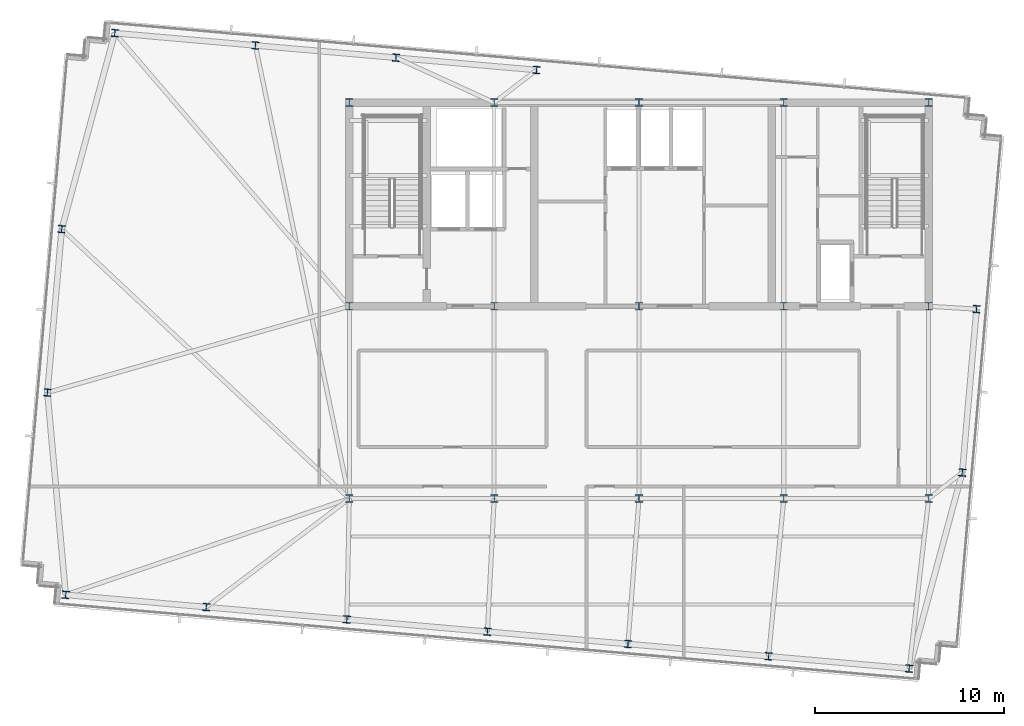
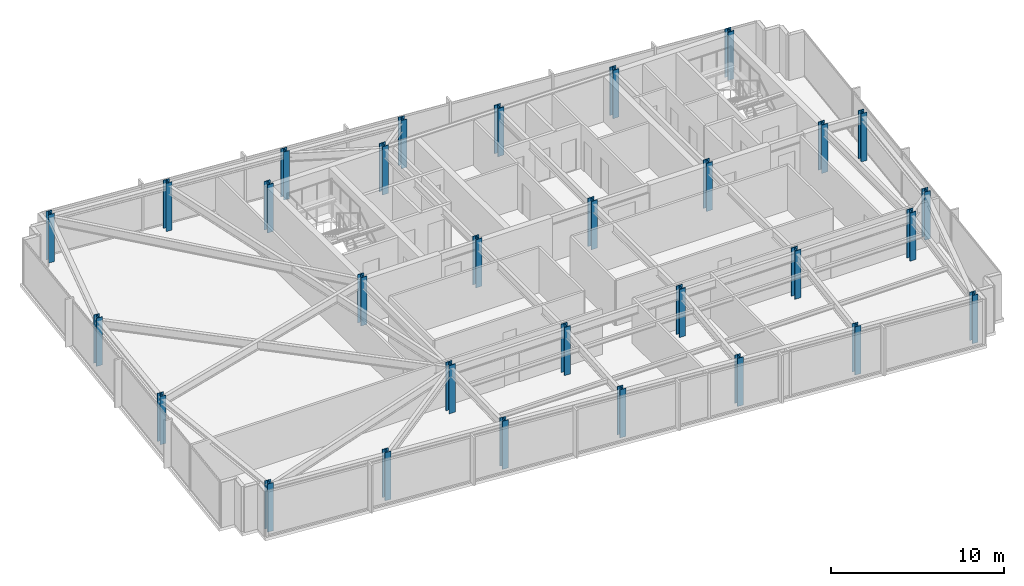
# One storey, part 1 of 32: 30 columns.
"""IFC4 building model written with IfcOpenShell, lengths in metres."""

import ifcopenshell
import ifcopenshell.guid

model = None  # the IFC model being written
_history = None  # IfcOwnerHistory: only IFC2X3 demands one
_inside = {}  # id of a spatial element -> (the spatial element, [elements in it])
_under = {}  # id of a project, library or spatial element -> (it, [spatial elements below it])
_declared = {}  # id of a project -> (the project, [libraries it declares])
_typed = {}  # id of a type object -> (the type object, [elements of that type])
_made_of = {}  # id of a material, layer set ... -> (it, [elements and type objects made of it])


def new_model(schema):
    """Start an empty IFC model of exactly this schema.

    Asked for "IFC4X3", IfcOpenShell would pick the latest addendum, in which some entities
    have other attributes; the version numbers below select the first issue.
    IFC2X3 requires an IfcOwnerHistory on every rooted entity: one is made here for all.
    """
    global model, _history
    if schema == "IFC4X3":
        model = ifcopenshell.file(schema_version=(4, 3, 0, 0))
    else:
        model = ifcopenshell.file(schema=schema)
    _inside.clear()
    _under.clear()
    _declared.clear()
    _typed.clear()
    _made_of.clear()
    _history = None
    if model.schema == "IFC2X3":
        org = make("IfcOrganization", Name="unknown")
        user = make(
            "IfcPersonAndOrganization",
            ThePerson=make("IfcPerson", FamilyName="unknown"),
            TheOrganization=org,
        )
        app = make(
            "IfcApplication",
            ApplicationDeveloper=org,
            Version="unknown",
            ApplicationFullName="unknown",
            ApplicationIdentifier="unknown",
        )
        _history = make(
            "IfcOwnerHistory",
            OwningUser=user,
            OwningApplication=app,
            ChangeAction="ADDED",
            CreationDate=0,
        )
    return model


def make(cls, **values):
    """One entity of the class cls with the attributes given. An attribute that is None is left unset."""
    return model.create_entity(
        cls, **{name: value for name, value in values.items() if value is not None}
    )


def rooted(cls, **values):
    """An entity with a GlobalId (a new one), such as an element, a storey or a relation."""
    return make(cls, GlobalId=ifcopenshell.guid.new(), OwnerHistory=_history, **values)


def si_unit(unit_type, name, prefix=None):
    """IfcSIUnit, for example si_unit("LENGTHUNIT", "METRE", prefix="MILLI")."""
    return make("IfcSIUnit", UnitType=unit_type, Prefix=prefix, Name=name)


def assignment(units):
    """IfcUnitAssignment: the units of a project."""
    return None if units is None else make("IfcUnitAssignment", Units=units)


def point(xyz):
    """IfcCartesianPoint."""
    return None if xyz is None else make("IfcCartesianPoint", Coordinates=xyz)


def direction(xyz):
    """IfcDirection."""
    return None if xyz is None else make("IfcDirection", DirectionRatios=xyz)


def frame(location, z_axis=None, x_axis=None):
    """IfcAxis2Placement3D, a coordinate frame: its origin and axes. An axis left out is left unset."""
    return make(
        "IfcAxis2Placement3D",
        Location=point(location),
        Axis=direction(z_axis),
        RefDirection=direction(x_axis),
    )


def frame_2d(location, x_axis=None):
    """IfcAxis2Placement2D, a coordinate frame in the plane: its origin and x axis."""
    return make(
        "IfcAxis2Placement2D", Location=point(location), RefDirection=direction(x_axis)
    )


def origin():
    """The frame at (0, 0, 0) with its axes left unset."""
    return frame((0.0, 0.0, 0.0))


def origin_2d():
    """The frame at (0, 0) in the plane with its x axis left unset."""
    return frame_2d((0.0, 0.0))


def place(relative_to, where):
    """IfcLocalPlacement: puts the frame where relative to a parent placement (None: the world)."""
    return make(
        "IfcLocalPlacement", PlacementRelTo=relative_to, RelativePlacement=where
    )


def context(
    kind, dimensions, precision=None, world=None, true_north=None, identifier=None
):
    """IfcGeometricRepresentationContext, for example the 3D "Model" context."""
    return make(
        "IfcGeometricRepresentationContext",
        ContextIdentifier=identifier,
        ContextType=kind,
        CoordinateSpaceDimension=dimensions,
        Precision=precision,
        WorldCoordinateSystem=world,
        TrueNorth=true_north,
    )


def subcontext(parent, identifier, kind, view, scale=None):
    """IfcGeometricRepresentationSubContext, for example "Body" below "Model"."""
    return make(
        "IfcGeometricRepresentationSubContext",
        ContextIdentifier=identifier,
        ContextType=kind,
        ParentContext=parent,
        TargetScale=scale,
        TargetView=view,
    )


def project(units=None, contexts=None):
    """IfcProject with its units and contexts."""
    return rooted(
        "IfcProject",
        Name="project",
        RepresentationContexts=contexts,
        UnitsInContext=assignment(units),
    )


def spatial(cls, under=None, at=None, **own):
    """A site, building, storey or space (cls), placed at a placement, below another one or the project."""
    s = rooted(cls, ObjectPlacement=at, **own)
    if under is not None:
        _under.setdefault(under.id(), (under, []))[1].append(s)
    return s


def profile(cls, at=None, kind="AREA", **sizes):
    """A parametric profile (cls). Its sizes go by their IFC names, for example OverallWidth=200.0."""
    return make(cls, ProfileType=kind, Position=at, **sizes)


def i_section(**sizes):
    """IfcIShapeProfileDef."""
    return profile("IfcIShapeProfileDef", **sizes)


def extrude(swept, where, along, depth):
    """IfcExtrudedAreaSolid: the profile swept, set in the frame where, extruded along a direction by depth."""
    return make(
        "IfcExtrudedAreaSolid",
        SweptArea=swept,
        Position=where,
        ExtrudedDirection=direction(along),
        Depth=depth,
    )


def shape(context_of_items, identifier, shape_type, items):
    """IfcShapeRepresentation: the items that make up one representation, for example the "Body"."""
    return make(
        "IfcShapeRepresentation",
        ContextOfItems=context_of_items,
        RepresentationIdentifier=identifier,
        RepresentationType=shape_type,
        Items=items,
    )


def material(Name=None, Category=None):
    """IfcMaterial."""
    return make("IfcMaterial", Name=Name, Category=Category)


def material_profile(
    of_material, cross_section, Name=None, Category=None, Priority=None
):
    """IfcMaterialProfile: a cross section and its material."""
    return make(
        "IfcMaterialProfile",
        Name=Name,
        Material=of_material,
        Profile=cross_section,
        Priority=Priority,
        Category=Category,
    )


def profile_set(profiles, Name=None, composite=None):
    """IfcMaterialProfileSet."""
    return make(
        "IfcMaterialProfileSet",
        Name=Name,
        MaterialProfiles=profiles,
        CompositeProfile=composite,
    )


def made_of(thing, what):
    """Note that an element or type object is made of a material, layer set ...; save() writes the relation."""
    if what is not None:
        _made_of.setdefault(what.id(), (what, []))[1].append(thing)
    return thing


def type_object(cls, material=None, **own):
    """A type object (cls), such as IfcWallType, which elements share."""
    return made_of(rooted(cls, **own), material)


def element(
    cls,
    number,
    at=None,
    inside=None,
    cuts=None,
    type_object=None,
    material=None,
    context=None,
    identifier="Body",
    shape_type=None,
    held_by="IfcProductDefinitionShape",
    body=None,
    shapes=None,
    **own,
):
    """One element of the class cls, such as IfcWall. Its Tag is "e" and its number.

    at: its placement. inside: the storey or other place that contains it. cuts: it is an
    opening in that element (IfcRelVoidsElement). A single representation is given by context,
    identifier, shape_type and body (its items); several are given by shapes. held_by: the class
    of the entity that holds the representations. save() writes the other relations.
    """
    e = rooted(cls, Tag="e%d" % number, ObjectPlacement=at, **own)
    if body is not None:
        shapes = [shape(context, identifier, shape_type, body)]
    if shapes is not None:
        e.Representation = make(held_by, Representations=shapes)
    if inside is not None:
        _inside.setdefault(inside.id(), (inside, []))[1].append(e)
    if cuts is not None:
        rooted(
            "IfcRelVoidsElement", RelatingBuildingElement=cuts, RelatedOpeningElement=e
        )
    if type_object is not None:
        _typed.setdefault(type_object.id(), (type_object, []))[1].append(e)
    return made_of(e, material)


def aggregate(whole, parts):
    """IfcRelAggregates: a whole, such as a stair, and the parts it consists of."""
    return rooted("IfcRelAggregates", RelatingObject=whole, RelatedObjects=parts)


def save(model, path):
    """Write the relations noted so far, then the file.

    IfcRelAggregates (storeys below a building ...), IfcRelContainedInSpatialStructure (elements
    in a storey), IfcRelDefinesByType, IfcRelAssociatesMaterial and IfcRelDeclares: one each for
    every whole, place, type object, material and project.
    """
    for whole, parts in _under.values():
        aggregate(whole, parts)
    for where, things in _inside.values():
        rooted(
            "IfcRelContainedInSpatialStructure",
            RelatedElements=things,
            RelatingStructure=where,
        )
    for kind, things in _typed.values():
        rooted("IfcRelDefinesByType", RelatedObjects=things, RelatingType=kind)
    for what, things in _made_of.values():
        rooted("IfcRelAssociatesMaterial", RelatedObjects=things, RelatingMaterial=what)
    for by, libraries in _declared.values():
        rooted("IfcRelDeclares", RelatingContext=by, RelatedDefinitions=libraries)
    model.write(path)


model = new_model("IFC4")

# Units and contexts
model_context = context("Model", 3, precision=1e-05, world=origin(), true_north=direction((0.0, 1.0)))
body_context = subcontext(model_context, "Body", "Model", "MODEL_VIEW")
ifc_project = project(units=[si_unit("LENGTHUNIT", "METRE"), si_unit("AREAUNIT", "SQUARE_METRE"), si_unit("VOLUMEUNIT", "CUBIC_METRE"), si_unit("PLANEANGLEUNIT", "RADIAN"), si_unit("MASSUNIT", "GRAM", prefix="KILO")], contexts=[model_context])

# Site, building, storey
site_placement = place(None, origin())
site = spatial("IfcSite", under=ifc_project, at=site_placement, CompositionType="ELEMENT")
building_placement = place(site_placement, origin())
building = spatial("IfcBuilding", under=site, at=building_placement, Name="Yelkora Congress Tower", CompositionType="ELEMENT")
storey_placement = place(building_placement, frame((0.0, 0.0, 262.5)))
storey = spatial("IfcBuildingStorey", under=building, at=storey_placement, Name="L73", CompositionType="ELEMENT", Elevation=262.5)

# Columns
ifc_material_1 = material(Name="Steel S355J2", Category="steel")
ifc_material_profile_1 = material_profile(ifc_material_1, i_section(OverallWidth=0.3779296875, OverallDepth=0.386962890625, WebThickness=0.0205078125, FlangeThickness=0.033203125, FilletRadius=0.014892578125, at=origin_2d()), Name="HD 360x262")
ifc_profile_set_1 = profile_set([ifc_material_profile_1], Name="Steel S355J2")
column_type_1 = type_object("IfcColumnType", Name="COL-HD-262-EXT", PredefinedType="COLUMN", material=ifc_profile_set_1)
for number, where, z_axis, x_axis, name in (
    (1, (7.998046875, 20.097900390625, 0.0), (0.0, 0.0, 1.0), (0.996194698092, -0.087155742748, 0.0), "L73 Perimeter Column S01"),
    (2, (15.452880859375, 19.445556640625, 0.0), (0.0, 0.0, 1.0), (0.996194698092, -0.087155742748, 0.0), "L73 Perimeter Column S02"),
    (3, (22.90771484375, 18.793212890625, 0.0), (0.0, 0.0, 1.0), (0.996194698092, -0.087155742748, 0.0), "L73 Perimeter Column S03"),
    (4, (30.362548828125, 18.14111328125, 0.0), (0.0, 0.0, 1.0), (0.996194698092, -0.087155742748, 0.0), "L73 Perimeter Column S04"),
    (5, (37.8173828125, 17.489013671875, 0.0), (0.0, 0.0, 1.0), (0.996194698092, -0.087155742748, 0.0), "L73 Perimeter Column S05"),
    (6, (45.2724609375, 16.836669921875, 0.0), (0.0, 0.0, 1.0), (0.996194698092, -0.087155742748, 0.0), "L73 Perimeter Column S06"),
    (7, (52.727294921875, 16.1845703125, 0.0), (0.0, 0.0, 1.0), (0.996194698092, -0.087155742748, 0.0), "L73 Perimeter Column S07"),
    (8, (10.60400390625, 49.884033203125, 0.0), (0.0, 0.0, 1.0), (0.996194698092, -0.087155742748, 0.0), "L73 Perimeter Column N01"),
    (9, (18.058837890625, 49.231689453125, 0.0), (0.0, 0.0, 1.0), (0.996194698092, -0.087155742748, 0.0), "L73 Perimeter Column N02"),
    (10, (25.513916015625, 48.57958984375, 0.0), (0.0, 0.0, 1.0), (0.996194698092, -0.087155742748, 0.0), "L73 Perimeter Column N03"),
    (11, (32.968505859375, 47.927490234375, 0.0), (0.0, 0.0, 1.0), (0.996194698092, -0.087155742748, 0.0), "L73 Perimeter Column N04"),
    (12, (7.029052734375, 30.822998046875, 0.0), (0.0, 0.0, 1.0), (0.996194698092, -0.087155742748, 0.0), "L73 Perimeter Column W01"),
    (13, (55.543701171875, 26.57861328125, 0.0), (0.0, 0.0, 1.0), (0.996194698092, -0.087155742748, 0.0), "L73 Perimeter Column E01"),
    (14, (7.787353515625, 39.489990234375, 0.0), (0.0, 0.0, 1.0), (0.996194698092, -0.087155742748, 0.0), "L73 Perimeter Column W02"),
    (15, (56.302001953125, 35.24560546875, 0.0), (0.0, 0.0, 1.0), (0.996194698092, -0.087155742748, 0.0), "L73 Perimeter Column E02"),
):
    element("IfcColumn", number, at=place(storey_placement, frame(where, z_axis=z_axis, x_axis=x_axis)), inside=storey, type_object=column_type_1, Name=name, PredefinedType="COLUMN", context=body_context, shape_type="SweptSolid", body=[
        extrude(i_section(OverallWidth=0.3779296875, OverallDepth=0.386962890625, WebThickness=0.0205078125, FlangeThickness=0.033203125, FilletRadius=0.014892578125, at=origin_2d()), origin(), (0.0, 0.0, 1.0), 3.39990234375),
    ])
ifc_material_2 = material(Name="Steel S460M", Category="steel")
ifc_material_profile_2 = material_profile(ifc_material_2, i_section(OverallWidth=0.406005859375, OverallDepth=0.416015625, WebThickness=0.02978515625, FlangeThickness=0.048095703125, FilletRadius=0.014892578125, at=origin_2d()), Name="HD 400x382")
ifc_profile_set_2 = profile_set([ifc_material_profile_2], Name="Steel S460M")
column_type_2 = type_object("IfcColumnType", Name="COL-HD-382", PredefinedType="COLUMN", material=ifc_profile_set_2)
for number, where, z_axis, x_axis, name in (
    (16, (23.0400390625, 35.39990234375, 0.0), (0.0, 0.0, 1.0), (1.0, 0.0, 0.0), "L73 Mega Column MC-S1"),
    (17, (23.0400390625, 46.199951171875, 0.0), (0.0, 0.0, 1.0), (1.0, 0.0, 0.0), "L73 Mega Column MC-N1"),
    (18, (23.0400390625, 25.199951171875, 0.0), (0.0, 0.0, 1.0), (1.0, 0.0, 0.0), "L73 Mega Column MC-D1"),
    (19, (30.719970703125, 35.39990234375, 0.0), (0.0, 0.0, 1.0), (1.0, 0.0, 0.0), "L73 Mega Column MC-S2"),
    (20, (30.719970703125, 46.199951171875, 0.0), (0.0, 0.0, 1.0), (1.0, 0.0, 0.0), "L73 Mega Column MC-N2"),
    (21, (30.719970703125, 25.199951171875, 0.0), (0.0, 0.0, 1.0), (1.0, 0.0, 0.0), "L73 Mega Column MC-D2"),
    (22, (38.39990234375, 35.39990234375, 0.0), (0.0, 0.0, 1.0), (1.0, 0.0, 0.0), "L73 Mega Column MC-S3"),
    (23, (38.39990234375, 46.199951171875, 0.0), (0.0, 0.0, 1.0), (1.0, 0.0, 0.0), "L73 Mega Column MC-N3"),
    (24, (38.39990234375, 25.199951171875, 0.0), (0.0, 0.0, 1.0), (1.0, 0.0, 0.0), "L73 Mega Column MC-D3"),
    (25, (46.080078125, 35.39990234375, 0.0), (0.0, 0.0, 1.0), (1.0, 0.0, 0.0), "L73 Mega Column MC-S4"),
    (26, (46.080078125, 46.199951171875, 0.0), (0.0, 0.0, 1.0), (1.0, 0.0, 0.0), "L73 Mega Column MC-N4"),
    (27, (46.080078125, 25.199951171875, 0.0), (0.0, 0.0, 1.0), (1.0, 0.0, 0.0), "L73 Mega Column MC-D4"),
    (28, (53.760009765625, 35.39990234375, 0.0), (0.0, 0.0, 1.0), (1.0, 0.0, 0.0), "L73 Mega Column MC-S5"),
    (29, (53.760009765625, 46.199951171875, 0.0), (0.0, 0.0, 1.0), (1.0, 0.0, 0.0), "L73 Mega Column MC-N5"),
    (30, (53.760009765625, 25.199951171875, 0.0), (0.0, 0.0, 1.0), (1.0, 0.0, 0.0), "L73 Mega Column MC-D5"),
):
    element("IfcColumn", number, at=place(storey_placement, frame(where, z_axis=z_axis, x_axis=x_axis)), inside=storey, type_object=column_type_2, Name=name, PredefinedType="COLUMN", context=body_context, shape_type="SweptSolid", body=[
        extrude(i_section(OverallWidth=0.406005859375, OverallDepth=0.416015625, WebThickness=0.02978515625, FlangeThickness=0.048095703125, FilletRadius=0.014892578125, at=origin_2d()), origin(), (0.0, 0.0, 1.0), 3.39990234375),
    ])

save(model, "model.ifc")
